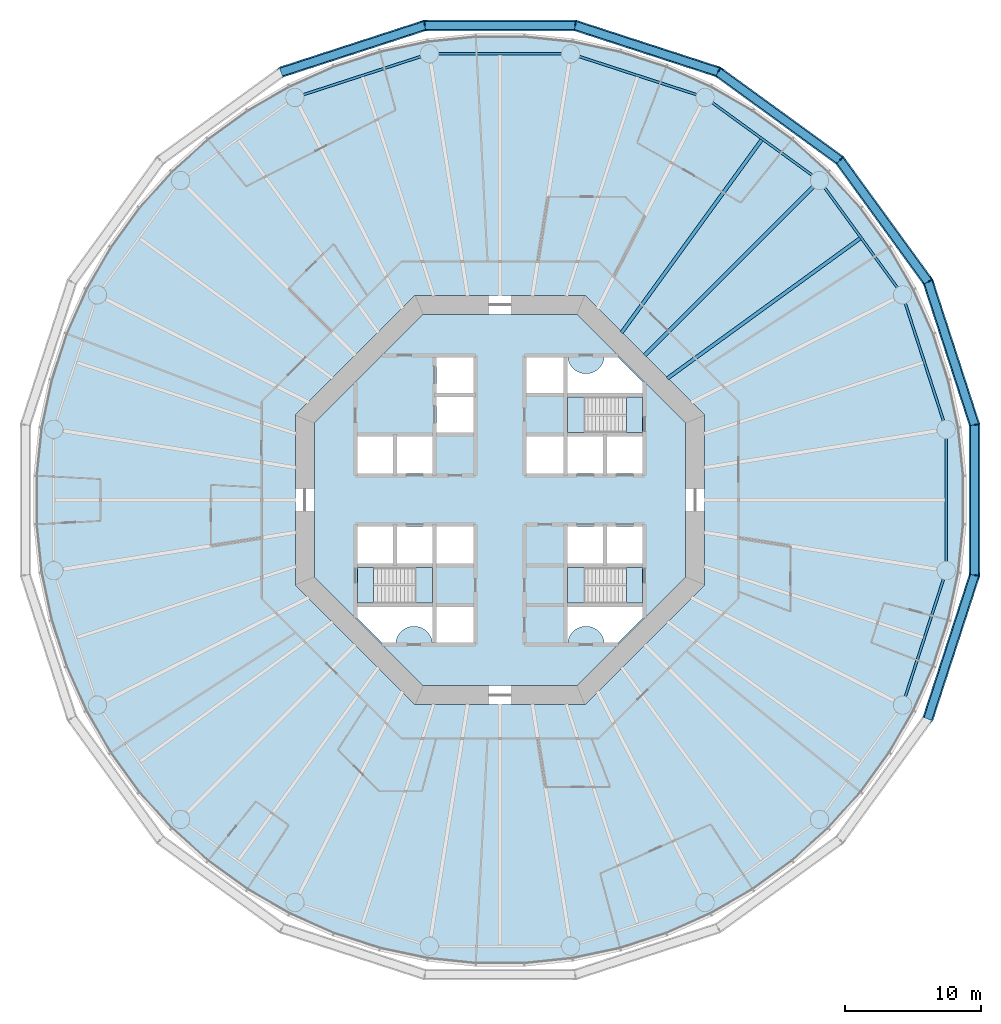
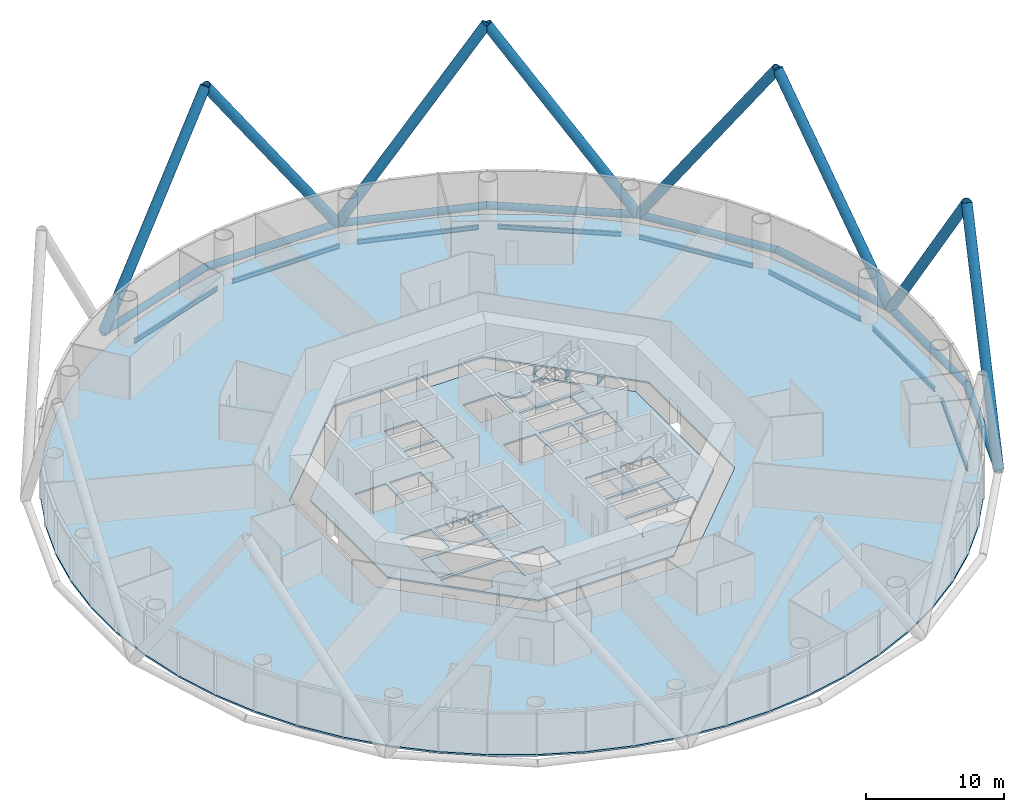
# One storey, part 2 of 13: 16 members, 11 beams, 8 slabs, 3 elements without a shape of their own.
"""IFC4 building model written with IfcOpenShell, lengths in metres."""

import ifcopenshell
import ifcopenshell.guid

model = None  # the IFC model being written
_history = None  # IfcOwnerHistory: only IFC2X3 demands one
_inside = {}  # id of a spatial element -> (the spatial element, [elements in it])
_under = {}  # id of a project, library or spatial element -> (it, [spatial elements below it])
_declared = {}  # id of a project -> (the project, [libraries it declares])
_typed = {}  # id of a type object -> (the type object, [elements of that type])
_made_of = {}  # id of a material, layer set ... -> (it, [elements and type objects made of it])


def new_model(schema):
    """Start an empty IFC model of exactly this schema.

    Asked for "IFC4X3", IfcOpenShell would pick the latest addendum, in which some entities
    have other attributes; the version numbers below select the first issue.
    IFC2X3 requires an IfcOwnerHistory on every rooted entity: one is made here for all.
    """
    global model, _history
    if schema == "IFC4X3":
        model = ifcopenshell.file(schema_version=(4, 3, 0, 0))
    else:
        model = ifcopenshell.file(schema=schema)
    _inside.clear()
    _under.clear()
    _declared.clear()
    _typed.clear()
    _made_of.clear()
    _history = None
    if model.schema == "IFC2X3":
        org = make("IfcOrganization", Name="unknown")
        user = make(
            "IfcPersonAndOrganization",
            ThePerson=make("IfcPerson", FamilyName="unknown"),
            TheOrganization=org,
        )
        app = make(
            "IfcApplication",
            ApplicationDeveloper=org,
            Version="unknown",
            ApplicationFullName="unknown",
            ApplicationIdentifier="unknown",
        )
        _history = make(
            "IfcOwnerHistory",
            OwningUser=user,
            OwningApplication=app,
            ChangeAction="ADDED",
            CreationDate=0,
        )
    return model


def make(cls, **values):
    """One entity of the class cls with the attributes given. An attribute that is None is left unset."""
    return model.create_entity(
        cls, **{name: value for name, value in values.items() if value is not None}
    )


def rooted(cls, **values):
    """An entity with a GlobalId (a new one), such as an element, a storey or a relation."""
    return make(cls, GlobalId=ifcopenshell.guid.new(), OwnerHistory=_history, **values)


def si_unit(unit_type, name, prefix=None):
    """IfcSIUnit, for example si_unit("LENGTHUNIT", "METRE", prefix="MILLI")."""
    return make("IfcSIUnit", UnitType=unit_type, Prefix=prefix, Name=name)


def assignment(units):
    """IfcUnitAssignment: the units of a project."""
    return None if units is None else make("IfcUnitAssignment", Units=units)


def point(xyz):
    """IfcCartesianPoint."""
    return None if xyz is None else make("IfcCartesianPoint", Coordinates=xyz)


def direction(xyz):
    """IfcDirection."""
    return None if xyz is None else make("IfcDirection", DirectionRatios=xyz)


def frame(location, z_axis=None, x_axis=None):
    """IfcAxis2Placement3D, a coordinate frame: its origin and axes. An axis left out is left unset."""
    return make(
        "IfcAxis2Placement3D",
        Location=point(location),
        Axis=direction(z_axis),
        RefDirection=direction(x_axis),
    )


def frame_2d(location, x_axis=None):
    """IfcAxis2Placement2D, a coordinate frame in the plane: its origin and x axis."""
    return make(
        "IfcAxis2Placement2D", Location=point(location), RefDirection=direction(x_axis)
    )


def origin():
    """The frame at (0, 0, 0) with its axes left unset."""
    return frame((0.0, 0.0, 0.0))


def origin_2d():
    """The frame at (0, 0) in the plane with its x axis left unset."""
    return frame_2d((0.0, 0.0))


def place(relative_to, where):
    """IfcLocalPlacement: puts the frame where relative to a parent placement (None: the world)."""
    return make(
        "IfcLocalPlacement", PlacementRelTo=relative_to, RelativePlacement=where
    )


def context(
    kind, dimensions, precision=None, world=None, true_north=None, identifier=None
):
    """IfcGeometricRepresentationContext, for example the 3D "Model" context."""
    return make(
        "IfcGeometricRepresentationContext",
        ContextIdentifier=identifier,
        ContextType=kind,
        CoordinateSpaceDimension=dimensions,
        Precision=precision,
        WorldCoordinateSystem=world,
        TrueNorth=true_north,
    )


def subcontext(parent, identifier, kind, view, scale=None):
    """IfcGeometricRepresentationSubContext, for example "Body" below "Model"."""
    return make(
        "IfcGeometricRepresentationSubContext",
        ContextIdentifier=identifier,
        ContextType=kind,
        ParentContext=parent,
        TargetScale=scale,
        TargetView=view,
    )


def project(units=None, contexts=None):
    """IfcProject with its units and contexts."""
    return rooted(
        "IfcProject",
        Name="project",
        RepresentationContexts=contexts,
        UnitsInContext=assignment(units),
    )


def spatial(cls, under=None, at=None, **own):
    """A site, building, storey or space (cls), placed at a placement, below another one or the project."""
    s = rooted(cls, ObjectPlacement=at, **own)
    if under is not None:
        _under.setdefault(under.id(), (under, []))[1].append(s)
    return s


def polyline(points):
    """IfcPolyline through the points."""
    return make("IfcPolyline", Points=[point(p) for p in points])


def profile(cls, at=None, kind="AREA", **sizes):
    """A parametric profile (cls). Its sizes go by their IFC names, for example OverallWidth=200.0."""
    return make(cls, ProfileType=kind, Position=at, **sizes)


def circle(**sizes):
    """IfcCircleProfileDef."""
    return profile("IfcCircleProfileDef", **sizes)


def hollow_circle(**sizes):
    """IfcCircleHollowProfileDef."""
    return profile("IfcCircleHollowProfileDef", **sizes)


def i_section(**sizes):
    """IfcIShapeProfileDef."""
    return profile("IfcIShapeProfileDef", **sizes)


def outline(outer, holes=None, kind="AREA"):
    """IfcArbitraryClosedProfileDef: a profile drawn as a closed curve; with holes, ...WithVoids."""
    if holes is None:
        return make("IfcArbitraryClosedProfileDef", ProfileType=kind, OuterCurve=outer)
    return make(
        "IfcArbitraryProfileDefWithVoids",
        ProfileType=kind,
        OuterCurve=outer,
        InnerCurves=holes,
    )


def extrude(swept, where, along, depth):
    """IfcExtrudedAreaSolid: the profile swept, set in the frame where, extruded along a direction by depth."""
    return make(
        "IfcExtrudedAreaSolid",
        SweptArea=swept,
        Position=where,
        ExtrudedDirection=direction(along),
        Depth=depth,
    )


def shape(context_of_items, identifier, shape_type, items):
    """IfcShapeRepresentation: the items that make up one representation, for example the "Body"."""
    return make(
        "IfcShapeRepresentation",
        ContextOfItems=context_of_items,
        RepresentationIdentifier=identifier,
        RepresentationType=shape_type,
        Items=items,
    )


def material(Name=None, Category=None):
    """IfcMaterial."""
    return make("IfcMaterial", Name=Name, Category=Category)


def layer(
    of_material, thickness, ventilated=None, Name=None, Category=None, Priority=None
):
    """IfcMaterialLayer: one layer of a wall or slab, of a material (None: an air gap)."""
    return make(
        "IfcMaterialLayer",
        Material=of_material,
        LayerThickness=thickness,
        IsVentilated=ventilated,
        Name=Name,
        Category=Category,
        Priority=Priority,
    )


def layer_set(layers, Name=None):
    """IfcMaterialLayerSet."""
    return make("IfcMaterialLayerSet", MaterialLayers=layers, LayerSetName=Name)


def material_profile(
    of_material, cross_section, Name=None, Category=None, Priority=None
):
    """IfcMaterialProfile: a cross section and its material."""
    return make(
        "IfcMaterialProfile",
        Name=Name,
        Material=of_material,
        Profile=cross_section,
        Priority=Priority,
        Category=Category,
    )


def profile_set(profiles, Name=None, composite=None):
    """IfcMaterialProfileSet."""
    return make(
        "IfcMaterialProfileSet",
        Name=Name,
        MaterialProfiles=profiles,
        CompositeProfile=composite,
    )


def made_of(thing, what):
    """Note that an element or type object is made of a material, layer set ...; save() writes the relation."""
    if what is not None:
        _made_of.setdefault(what.id(), (what, []))[1].append(thing)
    return thing


def type_object(cls, material=None, **own):
    """A type object (cls), such as IfcWallType, which elements share."""
    return made_of(rooted(cls, **own), material)


def element(
    cls,
    number,
    at=None,
    inside=None,
    cuts=None,
    type_object=None,
    material=None,
    context=None,
    identifier="Body",
    shape_type=None,
    held_by="IfcProductDefinitionShape",
    body=None,
    shapes=None,
    **own,
):
    """One element of the class cls, such as IfcWall. Its Tag is "e" and its number.

    at: its placement. inside: the storey or other place that contains it. cuts: it is an
    opening in that element (IfcRelVoidsElement). A single representation is given by context,
    identifier, shape_type and body (its items); several are given by shapes. held_by: the class
    of the entity that holds the representations. save() writes the other relations.
    """
    e = rooted(cls, Tag="e%d" % number, ObjectPlacement=at, **own)
    if body is not None:
        shapes = [shape(context, identifier, shape_type, body)]
    if shapes is not None:
        e.Representation = make(held_by, Representations=shapes)
    if inside is not None:
        _inside.setdefault(inside.id(), (inside, []))[1].append(e)
    if cuts is not None:
        rooted(
            "IfcRelVoidsElement", RelatingBuildingElement=cuts, RelatedOpeningElement=e
        )
    if type_object is not None:
        _typed.setdefault(type_object.id(), (type_object, []))[1].append(e)
    return made_of(e, material)


def aggregate(whole, parts):
    """IfcRelAggregates: a whole, such as a stair, and the parts it consists of."""
    return rooted("IfcRelAggregates", RelatingObject=whole, RelatedObjects=parts)


def save(model, path):
    """Write the relations noted so far, then the file.

    IfcRelAggregates (storeys below a building ...), IfcRelContainedInSpatialStructure (elements
    in a storey), IfcRelDefinesByType, IfcRelAssociatesMaterial and IfcRelDeclares: one each for
    every whole, place, type object, material and project.
    """
    for whole, parts in _under.values():
        aggregate(whole, parts)
    for where, things in _inside.values():
        rooted(
            "IfcRelContainedInSpatialStructure",
            RelatedElements=things,
            RelatingStructure=where,
        )
    for kind, things in _typed.values():
        rooted("IfcRelDefinesByType", RelatedObjects=things, RelatingType=kind)
    for what, things in _made_of.values():
        rooted("IfcRelAssociatesMaterial", RelatedObjects=things, RelatingMaterial=what)
    for by, libraries in _declared.values():
        rooted("IfcRelDeclares", RelatingContext=by, RelatedDefinitions=libraries)
    model.write(path)


model = new_model("IFC4")

# Units and contexts
model_context = context("Model", 3, precision=1e-05, world=origin(), true_north=direction((0.0, 1.0)))
body_context = subcontext(model_context, "Body", "Model", "MODEL_VIEW")
ifc_project = project(units=[si_unit("LENGTHUNIT", "METRE"), si_unit("AREAUNIT", "SQUARE_METRE"), si_unit("VOLUMEUNIT", "CUBIC_METRE"), si_unit("PLANEANGLEUNIT", "RADIAN"), si_unit("MASSUNIT", "GRAM", prefix="KILO")], contexts=[model_context])

# Site, building, storey
site_placement = place(None, origin())
site = spatial("IfcSite", under=ifc_project, at=site_placement, CompositionType="ELEMENT")
building_placement = place(site_placement, origin())
building = spatial("IfcBuilding", under=site, at=building_placement, Name="Entoto Ring Tower", CompositionType="ELEMENT")
storey_placement = place(building_placement, frame((0.0, 0.0, 38.0)))
storey = spatial("IfcBuildingStorey", under=building, at=storey_placement, Name="L07", CompositionType="ELEMENT", Elevation=38.0)

# Members
ifc_material_1 = material(Name="Steel S355", Category="steel")
ifc_material_profile_1 = material_profile(ifc_material_1, hollow_circle(Radius=0.39990234375, WallThickness=0.0400390625, at=origin_2d()), Name="CHS 800 x 40")
ifc_material_2 = material(Name="Concrete C60/75", Category="concrete")
ifc_material_profile_2 = material_profile(ifc_material_2, circle(Radius=0.360107421875, at=origin_2d()), Name="Concrete C60/75 infill")
ifc_profile_set_1 = profile_set([ifc_material_profile_1, ifc_material_profile_2], Name="Steel S355")
member_type_1 = type_object("IfcMemberType", Name="Diagrid diagonal 800 x 40 concrete-filled tube", PredefinedType="BRACE", material=ifc_profile_set_1)
member_1_placement = place(storey_placement, frame((124.7666015625, 85.506591796875, 0.0), z_axis=(0.0, -0.566989621488, 0.823724935355), x_axis=(1.0, 0.0, 0.0)))
element("IfcMember", 1, at=member_1_placement, inside=storey, type_object=member_type_1, Name="DG1 module 3 01", PredefinedType="BRACE", context=body_context, shape_type="SweptSolid", body=[
    extrude(hollow_circle(Radius=0.39990234375, WallThickness=0.0400390625, at=origin_2d()), origin(), (0.0, 0.0, 1.0), 19.424072265625),
])
for number, where, z_axis, x_axis, name in (
    (2, (124.7666015625, 85.506591796875, 0.0), (-0.175201587447, 0.539229736931, 0.823732781043), (-0.951058991317, -0.309009376937, 0.0), "DG1 module 3 02"),
    (3, (114.89013671875, 104.89013671875, 0.0), (0.333269672725, -0.458696716441, 0.823728503554), (0.809011122805, 0.587793333731, 0.0), "DG1 module 3 03"),
    (4, (114.89013671875, 104.89013671875, 0.0), (-0.458696716441, 0.333269672725, 0.823728503554), (-0.587793333731, -0.809011122805, 0.0), "DG1 module 3 04"),
    (5, (95.506591796875, 114.7666015625, 0.0), (0.539229736931, -0.175201587447, 0.823732781043), (0.309009376937, 0.951058991317, 0.0), "DG1 module 3 05"),
):
    element("IfcMember", number, at=place(storey_placement, frame(where, z_axis=z_axis, x_axis=x_axis)), inside=storey, type_object=member_type_1, Name=name, PredefinedType="BRACE", context=body_context, shape_type="SweptSolid", body=[
        extrude(hollow_circle(Radius=0.39990234375, WallThickness=0.0400390625, at=origin_2d()), origin(), (0.0, 0.0, 1.0), 19.423828125),
    ])
member_2_placement = place(storey_placement, frame((95.506591796875, 114.7666015625, 0.0), z_axis=(-0.566989621488, 0.0, 0.823724935355), x_axis=(0.0, -1.0, 0.0)))
element("IfcMember", 6, at=member_2_placement, inside=storey, type_object=member_type_1, Name="DG1 module 3 06", PredefinedType="BRACE", context=body_context, shape_type="SweptSolid", body=[
    extrude(hollow_circle(Radius=0.39990234375, WallThickness=0.0400390625, at=origin_2d()), origin(), (0.0, 0.0, 1.0), 19.424072265625),
])
for number, where, z_axis, x_axis, name in (
    (7, (74.01953125, 111.363525390625, 0.0), (0.539229736931, 0.175201587447, 0.823732781043), (-0.309009376937, 0.951058991317, 0.0), "DG1 module 3 07"),
    (8, (121.363525390625, 64.01953125, 0.0), (0.175201587447, 0.539229736931, 0.823732781043), (-0.951058991317, 0.309009376937, 0.0), "DG1 module 3 20"),
):
    element("IfcMember", number, at=place(storey_placement, frame(where, z_axis=z_axis, x_axis=x_axis)), inside=storey, type_object=member_type_1, Name=name, PredefinedType="BRACE", context=body_context, shape_type="SweptSolid", body=[
        extrude(hollow_circle(Radius=0.39990234375, WallThickness=0.0400390625, at=origin_2d()), origin(), (0.0, 0.0, 1.0), 19.423828125),
    ])
ifc_material_3 = material(Name="Steel S355", Category="steel")
ifc_material_profile_3 = material_profile(ifc_material_3, hollow_circle(Radius=0.300048828125, WallThickness=0.030029296875, at=origin_2d()), Name="CHS 600 x 30")
ifc_material_4 = material(Name="Concrete C60/75", Category="concrete")
ifc_material_profile_4 = material_profile(ifc_material_4, circle(Radius=0.27001953125, at=origin_2d()), Name="Concrete C60/75 infill")
ifc_profile_set_2 = profile_set([ifc_material_profile_3, ifc_material_profile_4], Name="Steel S355")
member_type_2 = type_object("IfcMemberType", Name="Diagrid ring beam 600 x 30", PredefinedType="CHORD", material=ifc_profile_set_2)
for number, where, z_axis, x_axis, name in (
    (9, (124.78759765625, 85.4423828125, 0.0), (-0.309031105137, 0.951051931315, 0.0), (-0.951051931315, -0.309031105137, 0.0), "DR1 ring 2 01"),
    (10, (121.403076171875, 95.92578125, 0.0), (-0.587771863556, 0.809026721692, 0.0), (-0.809026721692, -0.587771863556, 0.0), "DR1 ring 2 02"),
    (11, (114.94482421875, 104.8505859375, 0.0), (-0.809026721692, 0.587771863556, 0.0), (-0.587771863556, -0.809026721692, 0.0), "DR1 ring 2 03"),
    (12, (106.044677734375, 111.342529296875, 0.0), (-0.951051931315, 0.309031105137, 0.0), (-0.309031105137, -0.951051931315, 0.0), "DR1 ring 2 04"),
    (13, (95.573974609375, 114.7666015625, 0.0), (-1.0, 0.0, 0.0), (0.0, -1.0, 0.0), "DR1 ring 2 05"),
    (14, (84.5576171875, 114.78759765625, 0.0), (-0.951051931315, -0.309031105137, 0.0), (0.309031105137, -0.951051931315, 0.0), "DR1 ring 2 06"),
    (15, (121.342529296875, 63.955322265625, 0.0), (0.309031105137, 0.951051931315, 0.0), (-0.951051931315, 0.309031105137, 0.0), "DR1 ring 2 19"),
    (16, (124.7666015625, 74.426025390625, 0.0), (0.0, 1.0, 0.0), (-1.0, 0.0, 0.0), "DR1 ring 2 20"),
):
    element("IfcMember", number, at=place(storey_placement, frame(where, z_axis=z_axis, x_axis=x_axis)), inside=storey, type_object=member_type_2, Name=name, PredefinedType="CHORD", context=body_context, shape_type="SweptSolid", body=[
        extrude(hollow_circle(Radius=0.300048828125, WallThickness=0.030029296875, at=origin_2d()), origin(), (0.0, 0.0, 1.0), 11.14794921875),
    ])

# Beams
ifc_material_5 = material(Name="Steel S355", Category="steel")
ifc_material_profile_5 = material_profile(ifc_material_5, i_section(OverallWidth=0.179931640625, OverallDepth=0.39990234375, WebThickness=0.008544921875, FlangeThickness=0.013427734375, FilletRadius=0.02099609375, at=origin_2d()), Name="IPE 400")
ifc_profile_set_3 = profile_set([ifc_material_profile_5], Name="Steel S355")
beam_type_1 = type_object("IfcBeamType", Name="Edge beam IPE 400", PredefinedType="SPANDREL", material=ifc_profile_set_3)
for number, where, z_axis, x_axis, name in (
    (17, (122.484130859375, 85.819091796875, -0.35009765625), (-0.309006400295, 0.951059958455, 0.0), (-0.951059958455, -0.309006400295, 0.0), "Edge beam L07 01"),
    (18, (119.09619140625, 95.572509765625, -0.35009765625), (-0.587792917156, 0.80901142547, 0.0), (-0.80901142547, -0.587792917156, 0.0), "Edge beam L07 02"),
    (19, (112.85986328125, 103.801513671875, -0.35009765625), (-0.80901142547, 0.587792917156, 0.0), (-0.587792917156, -0.80901142547, 0.0), "Edge beam L07 03"),
    (20, (104.385986328125, 109.70068359375, -0.35009765625), (-0.951059958455, 0.309006400295, 0.0), (-0.309006400295, -0.951059958455, 0.0), "Edge beam L07 04"),
    (21, (94.50390625, 112.6923828125, -0.35009765625), (-1.0, 0.0, 0.0), (0.0, -1.0, 0.0), "Edge beam L07 05"),
    (22, (84.180908203125, 112.484130859375, -0.35009765625), (-0.951059958455, -0.309006400295, 0.0), (0.309006400295, -0.951059958455, 0.0), "Edge beam L07 06"),
    (23, (119.70068359375, 65.614013671875, -0.35009765625), (0.309006400295, 0.951059958455, 0.0), (-0.951059958455, 0.309006400295, 0.0), "Edge beam L07 19"),
    (24, (122.6923828125, 75.49609375, -0.35009765625), (0.0, 1.0, 0.0), (-1.0, 0.0, 0.0), "Edge beam L07 20"),
):
    element("IfcBeam", number, at=place(storey_placement, frame(where, z_axis=z_axis, x_axis=x_axis)), inside=storey, type_object=beam_type_1, Name=name, PredefinedType="SPANDREL", context=body_context, shape_type="SweptSolid", body=[
        extrude(i_section(OverallWidth=0.179931640625, OverallDepth=0.39990234375, WebThickness=0.008544921875, FlangeThickness=0.013427734375, FilletRadius=0.02099609375, at=origin_2d()), origin(), (0.0, 0.0, 1.0), 9.0078125),
    ])
ifc_material_6 = material(Name="Steel S355", Category="steel")
ifc_material_profile_6 = material_profile(ifc_material_6, i_section(OverallWidth=0.300048828125, OverallDepth=0.800048828125, WebThickness=0.017578125, FlangeThickness=0.032958984375, FilletRadius=0.030029296875, at=origin_2d()), Name="HE 800 B")
ifc_profile_set_4 = profile_set([ifc_material_profile_6], Name="Steel S355")
beam_type_2 = type_object("IfcBeamType", Name="Primary floor beam HE 800 B", PredefinedType="BEAM", material=ifc_profile_set_4)
beam_placement = place(storey_placement, frame((100.592529296875, 90.592529296875, -0.550048828125), z_axis=(0.707106781187, 0.707106781187, 0.0), x_axis=(-0.707106781187, 0.707106781187, 0.0)))
element("IfcBeam", 25, at=beam_placement, inside=storey, type_object=beam_type_2, Name="Primary L07 R03", PredefinedType="BEAM", context=body_context, shape_type="SweptSolid", body=[
    extrude(i_section(OverallWidth=0.300048828125, OverallDepth=0.800048828125, WebThickness=0.017578125, FlangeThickness=0.032958984375, FilletRadius=0.030029296875, at=origin_2d()), origin(), (0.0, 0.0, 1.0), 17.456298828125),
])
ifc_material_7 = material(Name="Steel S355", Category="steel")
ifc_material_profile_7 = material_profile(ifc_material_7, i_section(OverallWidth=0.262939453125, OverallDepth=0.7529296875, WebThickness=0.011474609375, FlangeThickness=0.01708984375, FilletRadius=0.01708984375, at=origin_2d()), Name="IPE 750 x 137")
ifc_profile_set_5 = profile_set([ifc_material_profile_7], Name="Steel S355")
beam_type_3 = type_object("IfcBeamType", Name="Secondary floor beam IPE 750 x 137", PredefinedType="JOIST", material=ifc_profile_set_5)
for number, where, z_axis, x_axis, name in (
    (26, (102.25341796875, 88.902587890625, -0.526611328125), (0.809014194973, 0.58778910532, 0.0), (-0.58778910532, 0.809014194973, 0.0), "Secondary beam L07 02"),
    (27, (98.902587890625, 92.25341796875, -0.526611328125), (0.58778910532, 0.809014194973, 0.0), (-0.809014194973, 0.58778910532, 0.0), "Secondary beam L07 03"),
):
    element("IfcBeam", number, at=place(storey_placement, frame(where, z_axis=z_axis, x_axis=x_axis)), inside=storey, type_object=beam_type_3, Name=name, PredefinedType="JOIST", context=body_context, shape_type="SweptSolid", body=[
        extrude(i_section(OverallWidth=0.262939453125, OverallDepth=0.7529296875, WebThickness=0.011474609375, FlangeThickness=0.01708984375, FilletRadius=0.01708984375, at=origin_2d()), origin(), (0.0, 0.0, 1.0), 17.45654296875),
    ])

# Slabs
ifc_material_8 = material(Name="Concrete C30/37", Category="concrete")
ifc_layer_1 = layer(ifc_material_8, 0.14990234375)
ifc_layer_set_1 = layer_set([ifc_layer_1], Name="Concrete C30/37")
slab_type_1 = type_object("IfcSlabType", Name="Composite floor slab 150 mm", PredefinedType="FLOOR", material=ifc_layer_set_1)
slab_1_placement = place(storey_placement, frame((0.0, 0.0, -0.14990234375)))
element("IfcSlab", 28, at=slab_1_placement, inside=storey, type_object=slab_type_1, Name="Floor slab L07", PredefinedType="FLOOR", context=body_context, shape_type="SweptSolid", body=[
    extrude(outline(polyline([(123.68017578125, 85.33447265625), (122.93798828125, 88.82568359375), (121.835205078125, 92.220458984375), (120.38330078125, 95.48095703125), (118.5986328125, 98.572265625), (116.500732421875, 101.459716796875), (114.1123046875, 104.1123046875), (111.459716796875, 106.500732421875), (108.572265625, 108.5986328125), (105.48095703125, 110.38330078125), (102.220458984375, 111.835205078125), (98.82568359375, 112.93798828125), (95.33447265625, 113.68017578125), (91.78466796875, 114.05322265625), (88.21533203125, 114.05322265625), (84.66552734375, 113.68017578125), (81.17431640625, 112.93798828125), (77.779541015625, 111.835205078125), (74.51904296875, 110.38330078125), (71.427734375, 108.5986328125), (68.540283203125, 106.500732421875), (65.8876953125, 104.1123046875), (63.499267578125, 101.459716796875), (61.4013671875, 98.572265625), (59.61669921875, 95.48095703125), (58.164794921875, 92.220458984375), (57.06201171875, 88.82568359375), (56.31982421875, 85.33447265625), (55.94677734375, 81.78466796875), (55.94677734375, 78.21533203125), (56.31982421875, 74.66552734375), (57.06201171875, 71.17431640625), (58.164794921875, 67.779541015625), (59.61669921875, 64.51904296875), (61.4013671875, 61.427734375), (63.499267578125, 58.540283203125), (65.8876953125, 55.8876953125), (68.540283203125, 53.499267578125), (71.427734375, 51.4013671875), (74.51904296875, 49.61669921875), (77.779541015625, 48.164794921875), (81.17431640625, 47.06201171875), (84.66552734375, 46.31982421875), (88.21533203125, 45.94677734375), (91.78466796875, 45.94677734375), (95.33447265625, 46.31982421875), (98.82568359375, 47.06201171875), (102.220458984375, 48.164794921875), (105.48095703125, 49.61669921875), (108.572265625, 51.4013671875), (111.459716796875, 53.499267578125), (114.1123046875, 55.8876953125), (116.500732421875, 58.540283203125), (118.5986328125, 61.427734375), (120.38330078125, 64.51904296875), (121.835205078125, 67.779541015625), (122.93798828125, 71.17431640625), (123.68017578125, 74.66552734375), (124.05322265625, 78.21533203125), (124.05322265625, 81.78466796875), (123.68017578125, 85.33447265625)]), holes=[polyline([(105.0, 73.786865234375), (105.0, 86.213134765625), (96.213134765625, 95.0), (83.786865234375, 95.0), (75.0, 86.213134765625), (75.0, 73.786865234375), (83.786865234375, 65.0), (96.213134765625, 65.0), (105.0, 73.786865234375)])]), origin(), (0.0, 0.0, 1.0), 0.14990234375),
])
ifc_material_9 = material(Name="Concrete C40/50", Category="concrete")
ifc_layer_2 = layer(ifc_material_9, 0.14990234375)
ifc_layer_set_2 = layer_set([ifc_layer_2], Name="Concrete C40/50")
slab_type_2 = type_object("IfcSlabType", Name="Core floor slab 150 mm reinforced concrete C40/50", PredefinedType="FLOOR", material=ifc_layer_set_2)
slab_2_placement = place(storey_placement, frame((0.0, 0.0, -0.14990234375)))
element("IfcSlab", 29, at=slab_2_placement, inside=storey, type_object=slab_type_2, Name="Core floor L07", PredefinedType="FLOOR", context=body_context, shape_type="SweptSolid", body=[
    extrude(outline(polyline([(103.60009765625, 74.36669921875), (103.60009765625, 85.63330078125), (95.63330078125, 93.60009765625), (84.36669921875, 93.60009765625), (76.39990234375, 85.63330078125), (76.39990234375, 74.36669921875), (84.36669921875, 66.39990234375), (95.63330078125, 66.39990234375), (103.60009765625, 74.36669921875)]), holes=[polyline([(100.449951171875, 84.949951171875), (100.449951171875, 87.550048828125), (94.949951171875, 87.550048828125), (94.949951171875, 84.949951171875), (100.449951171875, 84.949951171875)]), polyline([(85.050048828125, 72.449951171875), (85.050048828125, 75.050048828125), (79.550048828125, 75.050048828125), (79.550048828125, 72.449951171875), (85.050048828125, 72.449951171875)]), polyline([(100.449951171875, 72.449951171875), (100.449951171875, 75.050048828125), (94.949951171875, 75.050048828125), (94.949951171875, 72.449951171875), (100.449951171875, 72.449951171875)]), polyline([(94.949951171875, 81.949951171875), (97.550048828125, 81.949951171875), (97.550048828125, 84.64990234375), (94.949951171875, 84.64990234375), (94.949951171875, 81.949951171875)]), polyline([(97.85009765625, 81.949951171875), (100.449951171875, 81.949951171875), (100.449951171875, 84.64990234375), (97.85009765625, 84.64990234375), (97.85009765625, 81.949951171875)]), polyline([(82.449951171875, 81.949951171875), (85.050048828125, 81.949951171875), (85.050048828125, 84.64990234375), (82.449951171875, 84.64990234375), (82.449951171875, 81.949951171875)]), polyline([(94.949951171875, 75.35009765625), (97.550048828125, 75.35009765625), (97.550048828125, 78.050048828125), (94.949951171875, 78.050048828125), (94.949951171875, 75.35009765625)]), polyline([(97.85009765625, 75.35009765625), (100.449951171875, 75.35009765625), (100.449951171875, 78.050048828125), (97.85009765625, 78.050048828125), (97.85009765625, 75.35009765625)]), polyline([(82.449951171875, 75.35009765625), (85.050048828125, 75.35009765625), (85.050048828125, 78.050048828125), (82.449951171875, 78.050048828125), (82.449951171875, 75.35009765625)]), polyline([(79.550048828125, 81.949951171875), (82.14990234375, 81.949951171875), (82.14990234375, 84.64990234375), (79.550048828125, 84.64990234375), (79.550048828125, 81.949951171875)]), polyline([(79.550048828125, 75.35009765625), (82.14990234375, 75.35009765625), (82.14990234375, 78.050048828125), (79.550048828125, 78.050048828125), (79.550048828125, 75.35009765625)]), polyline([(91.949951171875, 87.85009765625), (94.64990234375, 87.85009765625), (94.64990234375, 90.449951171875), (91.949951171875, 90.449951171875), (91.949951171875, 87.85009765625)]), polyline([(85.35009765625, 69.550048828125), (88.050048828125, 69.550048828125), (88.050048828125, 72.14990234375), (85.35009765625, 72.14990234375), (85.35009765625, 69.550048828125)]), polyline([(91.949951171875, 81.949951171875), (94.64990234375, 81.949951171875), (94.64990234375, 84.64990234375), (91.949951171875, 84.64990234375), (91.949951171875, 81.949951171875)]), polyline([(85.35009765625, 75.35009765625), (88.050048828125, 75.35009765625), (88.050048828125, 78.050048828125), (85.35009765625, 78.050048828125), (85.35009765625, 75.35009765625)]), polyline([(85.35009765625, 84.949951171875), (88.050048828125, 84.949951171875), (88.050048828125, 87.550048828125), (85.35009765625, 87.550048828125), (85.35009765625, 84.949951171875)]), polyline([(85.35009765625, 87.85009765625), (88.050048828125, 87.85009765625), (88.050048828125, 90.449951171875), (85.35009765625, 90.449951171875), (85.35009765625, 87.85009765625)]), polyline([(94.89990234375, 90.5), (94.89990234375, 87.800048828125), (100.5, 87.800048828125), (100.5, 88.591796875), (98.591796875, 90.5), (97.64501953125, 90.5), (97.6435546875, 90.4677734375), (97.6240234375, 90.336669921875), (97.591796875, 90.2080078125), (97.547119140625, 90.08349609375), (97.490478515625, 89.963623046875), (97.422607421875, 89.85009765625), (97.343505859375, 89.74365234375), (97.254638671875, 89.6455078125), (97.156494140625, 89.556396484375), (97.050048828125, 89.4775390625), (96.936279296875, 89.409423828125), (96.816650390625, 89.352783203125), (96.69189453125, 89.30810546875), (96.5634765625, 89.27587890625), (96.432373046875, 89.256591796875), (96.300048828125, 89.25), (96.167724609375, 89.256591796875), (96.03662109375, 89.27587890625), (95.908203125, 89.30810546875), (95.783447265625, 89.352783203125), (95.66357421875, 89.409423828125), (95.550048828125, 89.4775390625), (95.443603515625, 89.556396484375), (95.345458984375, 89.6455078125), (95.25634765625, 89.74365234375), (95.177490234375, 89.85009765625), (95.109375, 89.963623046875), (95.052734375, 90.08349609375), (95.008056640625, 90.2080078125), (94.975830078125, 90.336669921875), (94.95654296875, 90.4677734375), (94.954833984375, 90.5), (94.89990234375, 90.5)]), polyline([(79.5, 71.408203125), (81.408203125, 69.5), (82.35498046875, 69.5), (82.3564453125, 69.5322265625), (82.3759765625, 69.663330078125), (82.408203125, 69.7919921875), (82.452880859375, 69.91650390625), (82.509521484375, 70.036376953125), (82.577392578125, 70.14990234375), (82.656494140625, 70.25634765625), (82.745361328125, 70.3544921875), (82.843505859375, 70.443603515625), (82.949951171875, 70.5224609375), (83.063720703125, 70.590576171875), (83.183349609375, 70.647216796875), (83.30810546875, 70.69189453125), (83.4365234375, 70.72412109375), (83.567626953125, 70.743408203125), (83.699951171875, 70.75), (83.832275390625, 70.743408203125), (83.96337890625, 70.72412109375), (84.091796875, 70.69189453125), (84.216552734375, 70.647216796875), (84.33642578125, 70.590576171875), (84.449951171875, 70.5224609375), (84.556396484375, 70.443603515625), (84.654541015625, 70.3544921875), (84.74365234375, 70.25634765625), (84.822509765625, 70.14990234375), (84.890625, 70.036376953125), (84.947265625, 69.91650390625), (84.991943359375, 69.7919921875), (85.024169921875, 69.663330078125), (85.04345703125, 69.5322265625), (85.045166015625, 69.5), (85.10009765625, 69.5), (85.10009765625, 72.199951171875), (79.5, 72.199951171875), (79.5, 71.408203125)]), polyline([(97.64501953125, 69.5), (98.591796875, 69.5), (100.5, 71.408203125), (100.5, 72.199951171875), (94.89990234375, 72.199951171875), (94.89990234375, 69.5), (94.954833984375, 69.5), (94.95654296875, 69.5322265625), (94.975830078125, 69.663330078125), (95.008056640625, 69.7919921875), (95.052734375, 69.91650390625), (95.109375, 70.036376953125), (95.177490234375, 70.14990234375), (95.25634765625, 70.25634765625), (95.345458984375, 70.3544921875), (95.443603515625, 70.443603515625), (95.550048828125, 70.5224609375), (95.66357421875, 70.590576171875), (95.783447265625, 70.647216796875), (95.908203125, 70.69189453125), (96.03662109375, 70.72412109375), (96.167724609375, 70.743408203125), (96.300048828125, 70.75), (96.432373046875, 70.743408203125), (96.5634765625, 70.72412109375), (96.69189453125, 70.69189453125), (96.816650390625, 70.647216796875), (96.936279296875, 70.590576171875), (97.050048828125, 70.5224609375), (97.156494140625, 70.443603515625), (97.254638671875, 70.3544921875), (97.343505859375, 70.25634765625), (97.422607421875, 70.14990234375), (97.490478515625, 70.036376953125), (97.547119140625, 69.91650390625), (97.591796875, 69.7919921875), (97.6240234375, 69.663330078125), (97.6435546875, 69.5322265625), (97.64501953125, 69.5)])]), origin(), (0.0, 0.0, 1.0), 0.14990234375),
])

# Stair, slabs
ifc_material_10 = material(Name="Concrete C40/50", Category="concrete")
stair_type = type_object("IfcStairType", Name="Exit stair 1200 mm dog-leg reinforced concrete", PredefinedType="HALF_TURN_STAIR", material=ifc_material_10)
stair_1_placement = place(storey_placement, origin())
stair_1 = element("IfcStair", 30, at=stair_1_placement, inside=storey, type_object=stair_type, Name="Exit stair 1", PredefinedType="HALF_TURN_STAIR")
ifc_material_11 = material(Name="Concrete C40/50", Category="concrete")
ifc_layer_3 = layer(ifc_material_11, 0.199951171875)
ifc_layer_set_3 = layer_set([ifc_layer_3], Name="Concrete C40/50")
slab_type_3 = type_object("IfcSlabType", Name="Stair landing 200 mm reinforced concrete", PredefinedType="LANDING", material=ifc_layer_set_3)
slab_3_placement = place(storey_placement, frame((0.0, 0.0, -0.199951171875)))
slab_3 = element("IfcSlab", 31, at=slab_3_placement, type_object=slab_type_3, Name="ST1 landing 1", PredefinedType="LANDING", context=body_context, shape_type="SweptSolid", body=[
    extrude(outline(polyline([(100.449951171875, 84.949951171875), (100.449951171875, 87.550048828125), (99.25, 87.550048828125), (99.25, 84.949951171875), (100.449951171875, 84.949951171875)])), origin(), (0.0, 0.0, 1.0), 0.199951171875),
])
slab_4_placement = place(storey_placement, frame((0.0, 0.0, 1.800048828125)))
slab_4 = element("IfcSlab", 32, at=slab_4_placement, type_object=slab_type_3, Name="ST1 landing 2", PredefinedType="LANDING", context=body_context, shape_type="SweptSolid", body=[
    extrude(outline(polyline([(94.949951171875, 84.949951171875), (96.169921875, 84.949951171875), (96.169921875, 87.550048828125), (94.949951171875, 87.550048828125), (94.949951171875, 84.949951171875)])), origin(), (0.0, 0.0, 1.0), 0.199951171875),
])
aggregate(stair_1, [slab_3, slab_4])

stair_2_placement = place(storey_placement, origin())
stair_2 = element("IfcStair", 33, at=stair_2_placement, inside=storey, type_object=stair_type, Name="Exit stair 2", PredefinedType="HALF_TURN_STAIR")
slab_5_placement = place(storey_placement, frame((0.0, 0.0, -0.199951171875)))
slab_5 = element("IfcSlab", 34, at=slab_5_placement, type_object=slab_type_3, Name="ST2 landing 1", PredefinedType="LANDING", context=body_context, shape_type="SweptSolid", body=[
    extrude(outline(polyline([(80.75, 72.449951171875), (80.75, 75.050048828125), (79.550048828125, 75.050048828125), (79.550048828125, 72.449951171875), (80.75, 72.449951171875)])), origin(), (0.0, 0.0, 1.0), 0.199951171875),
])
slab_6_placement = place(storey_placement, frame((0.0, 0.0, 1.800048828125)))
slab_6 = element("IfcSlab", 35, at=slab_6_placement, type_object=slab_type_3, Name="ST2 landing 2", PredefinedType="LANDING", context=body_context, shape_type="SweptSolid", body=[
    extrude(outline(polyline([(83.830078125, 72.449951171875), (85.050048828125, 72.449951171875), (85.050048828125, 75.050048828125), (83.830078125, 75.050048828125), (83.830078125, 72.449951171875)])), origin(), (0.0, 0.0, 1.0), 0.199951171875),
])
aggregate(stair_2, [slab_5, slab_6])

stair_3_placement = place(storey_placement, origin())
stair_3 = element("IfcStair", 36, at=stair_3_placement, inside=storey, type_object=stair_type, Name="Exit stair 3", PredefinedType="HALF_TURN_STAIR")
slab_7_placement = place(storey_placement, frame((0.0, 0.0, -0.199951171875)))
slab_7 = element("IfcSlab", 37, at=slab_7_placement, type_object=slab_type_3, Name="ST3 landing 1", PredefinedType="LANDING", context=body_context, shape_type="SweptSolid", body=[
    extrude(outline(polyline([(100.449951171875, 72.449951171875), (100.449951171875, 75.050048828125), (99.25, 75.050048828125), (99.25, 72.449951171875), (100.449951171875, 72.449951171875)])), origin(), (0.0, 0.0, 1.0), 0.199951171875),
])
slab_8_placement = place(storey_placement, frame((0.0, 0.0, 1.800048828125)))
slab_8 = element("IfcSlab", 38, at=slab_8_placement, type_object=slab_type_3, Name="ST3 landing 2", PredefinedType="LANDING", context=body_context, shape_type="SweptSolid", body=[
    extrude(outline(polyline([(94.949951171875, 72.449951171875), (96.169921875, 72.449951171875), (96.169921875, 75.050048828125), (94.949951171875, 75.050048828125), (94.949951171875, 72.449951171875)])), origin(), (0.0, 0.0, 1.0), 0.199951171875),
])
aggregate(stair_3, [slab_7, slab_8])

save(model, "model.ifc")
